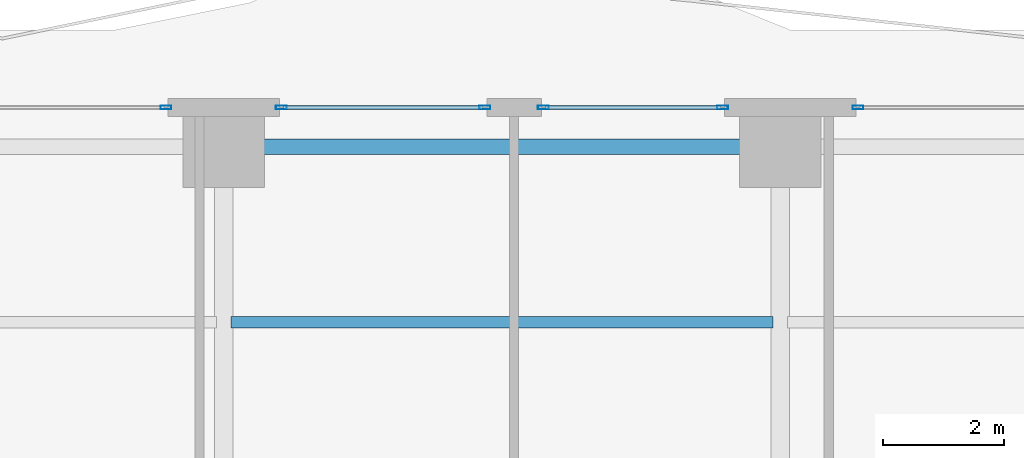
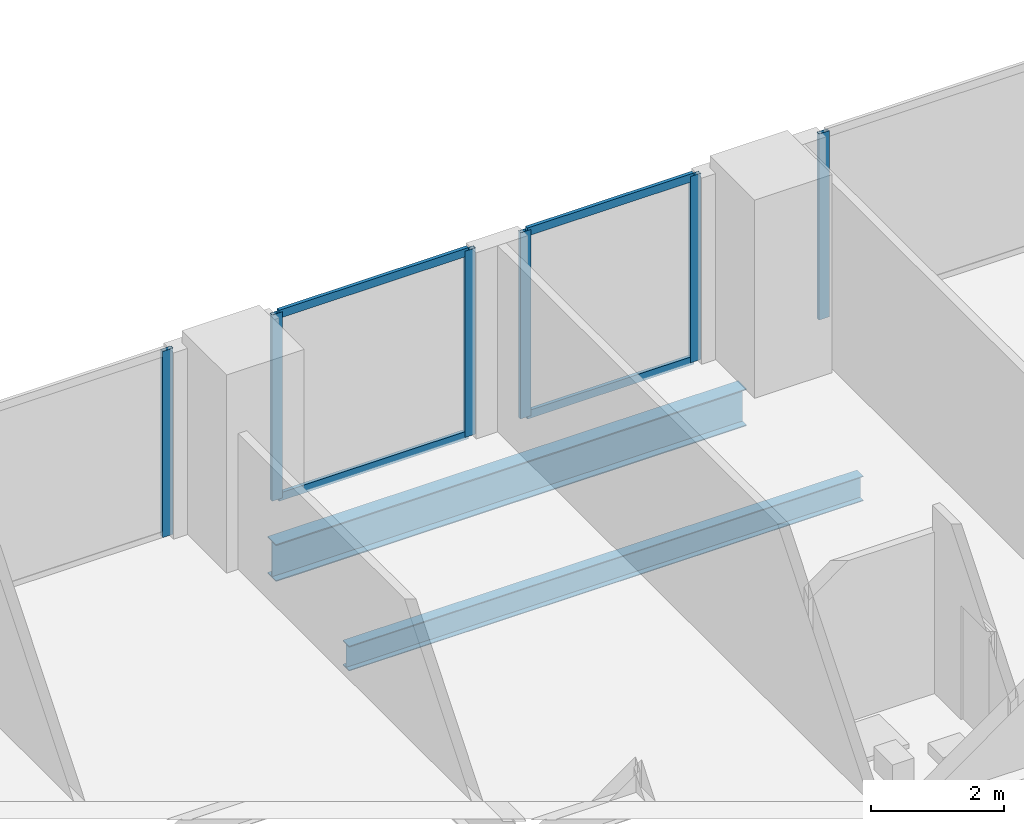
# One storey, part 17 of 29: 10 members, 2 beams, 4 elements without a shape of their own.
"""IFC4 building model written with IfcOpenShell, lengths in metres."""

from ifc_helpers import new_model, si_unit, direction, frame, origin, origin_2d, place, context, subcontext, project, spatial, hollow_rectangle, i_section, extrude, material, layer, layer_set, material_profile, profile_set, type_object, element, aggregate, save


model = new_model("IFC4")

# Units and contexts
model_context = context("Model", 3, precision=1e-05, world=origin(), true_north=direction((0.0, 1.0)))
body_context = subcontext(model_context, "Body", "Model", "MODEL_VIEW")
ifc_project = project(units=[si_unit("LENGTHUNIT", "METRE"), si_unit("AREAUNIT", "SQUARE_METRE"), si_unit("VOLUMEUNIT", "CUBIC_METRE"), si_unit("PLANEANGLEUNIT", "RADIAN"), si_unit("MASSUNIT", "GRAM", prefix="KILO")], contexts=[model_context])

# Site, building, storey
site_placement = place(None, origin())
site = spatial("IfcSite", under=ifc_project, at=site_placement, CompositionType="ELEMENT")
building_placement = place(site_placement, origin())
building = spatial("IfcBuilding", under=site, at=building_placement, Name="Zuhayl Quay Hotel", CompositionType="ELEMENT")
storey_placement = place(building_placement, frame((0.0, 0.0, 106.60009765625)))
storey = spatial("IfcBuildingStorey", under=building, at=storey_placement, Name="L26", CompositionType="ELEMENT", Elevation=106.60009765625)

# Beams
ifc_material_1 = material(Name="Steel ASTM A992 Grade 50", Category="steel")
ifc_material_profile_1 = material_profile(ifc_material_1, i_section(OverallWidth=0.25390625, OverallDepth=0.68310546875, WebThickness=0.012451171875, FlangeThickness=0.018798828125, at=origin_2d()), Name="W27X94")
ifc_profile_set_1 = profile_set([ifc_material_profile_1], Name="Steel ASTM A992 Grade 50")
beam_type_1 = type_object("IfcBeamType", Name="BM_B2_W27X94", PredefinedType="BEAM", material=ifc_profile_set_1)
beam_1_placement = place(storey_placement, frame((4.10009765625, 27.75, -0.5615234375), z_axis=(-1.0, 0.0, 0.0), x_axis=(0.0, -1.0, 0.0)))
element("IfcBeam", 1, at=beam_1_placement, inside=storey, type_object=beam_type_1, Name="L26 Floor Beam RG_L26_08", PredefinedType="BEAM", context=body_context, shape_type="SweptSolid", body=[
    extrude(i_section(OverallWidth=0.25390625, OverallDepth=0.68310546875, WebThickness=0.012451171875, FlangeThickness=0.018798828125, at=origin_2d()), origin(), (0.0, 0.0, 1.0), 8.2001953125),
])
ifc_material_profile_2 = material_profile(ifc_material_1, i_section(OverallWidth=0.18994140625, OverallDepth=0.45703125, WebThickness=0.009033203125, FlangeThickness=0.014404296875, at=origin_2d()), Name="W18X50")
ifc_profile_set_2 = profile_set([ifc_material_profile_2], Name="Steel ASTM A992 Grade 50")
beam_type_2 = type_object("IfcBeamType", Name="BM_J2_W18X50", PredefinedType="JOIST", material=ifc_profile_set_2)
beam_2_placement = place(storey_placement, frame((-4.48095703125, 24.85009765625, -0.448486328125), z_axis=(1.0, 0.0, 0.0), x_axis=(0.0, 1.0, 0.0)))
element("IfcBeam", 2, at=beam_2_placement, inside=storey, type_object=beam_type_2, Name="L26 Floor Beam FJ_L26_4_2", PredefinedType="JOIST", context=body_context, shape_type="SweptSolid", body=[
    extrude(i_section(OverallWidth=0.18994140625, OverallDepth=0.45703125, WebThickness=0.009033203125, FlangeThickness=0.014404296875, at=origin_2d()), origin(), (0.0, 0.0, 1.0), 8.9619140625),
])

# Curtain wall, member
ifc_material_2 = material(Name="Anodised Aluminium 6063-T6", Category="aluminium")
ifc_layer = layer(ifc_material_2, 0.179931640625, Name="Anodised Aluminium 6063-T6", Category="aluminium")
ifc_layer_set = layer_set([ifc_layer], Name="Anodised Aluminium 6063-T6")
curtain_wall_type = type_object("IfcCurtainWallType", Name="CW_SYS_Z2", PredefinedType="USERDEFINED", material=ifc_layer_set)
curtain_wall_1_placement = place(storey_placement, origin())
curtain_wall_1 = element("IfcCurtainWall", 3, at=curtain_wall_1_placement, inside=storey, type_object=curtain_wall_type, Name="L26 Curtain Wall ENV_L26_N_CW3", ObjectType="UNITISED CURTAIN WALL", PredefinedType="USERDEFINED")
ifc_material_3 = material(Name="Black-anodised aluminium 6063-T6", Category="aluminium")
ifc_material_profile_3 = material_profile(ifc_material_3, hollow_rectangle(XDim=0.06494140625, YDim=0.179931640625, WallThickness=0.00341796875, at=origin_2d()), Name="ALU180X65")
ifc_profile_set_3 = profile_set([ifc_material_profile_3], Name="Black-anodised aluminium 6063-T6")
member_type_1 = type_object("IfcMemberType", Name="MB_CW_MUL_180", PredefinedType="MULLION", material=ifc_profile_set_3)
member_1_placement = place(storey_placement, frame((-5.552490234375, 28.39990234375, 0.0), z_axis=(0.0, 0.0, 1.0), x_axis=(0.0, 1.0, 0.0)))
member_1 = element("IfcMember", 4, at=member_1_placement, type_object=member_type_1, Name="CW-Z2 mullion 2", PredefinedType="MULLION", context=body_context, shape_type="SweptSolid", body=[
    extrude(hollow_rectangle(XDim=0.06494140625, YDim=0.179931640625, WallThickness=0.00341796875, at=origin_2d()), origin(), (0.0, 0.0, 1.0), 3.429931640625),
])
aggregate(curtain_wall_1, [member_1])

# Curtain wall, members
curtain_wall_2_placement = place(storey_placement, origin())
curtain_wall_2 = element("IfcCurtainWall", 5, at=curtain_wall_2_placement, inside=storey, type_object=curtain_wall_type, Name="L26 Curtain Wall ENV_L26_N_CW4", ObjectType="UNITISED CURTAIN WALL", PredefinedType="USERDEFINED")
member_2_placement = place(storey_placement, frame((-3.6474609375, 28.39990234375, 0.0), z_axis=(0.0, 0.0, 1.0), x_axis=(0.0, 1.0, 0.0)))
member_2 = element("IfcMember", 6, at=member_2_placement, type_object=member_type_1, Name="CW-Z2 mullion 1", PredefinedType="MULLION", context=body_context, shape_type="SweptSolid", body=[
    extrude(hollow_rectangle(XDim=0.06494140625, YDim=0.179931640625, WallThickness=0.00341796875, at=origin_2d()), origin(), (0.0, 0.0, 1.0), 3.429931640625),
])
member_3_placement = place(storey_placement, frame((-0.282470703125, 28.39990234375, 0.0), z_axis=(0.0, 0.0, 1.0), x_axis=(0.0, 1.0, 0.0)))
member_3 = element("IfcMember", 7, at=member_3_placement, type_object=member_type_1, Name="CW-Z2 mullion 2", PredefinedType="MULLION", context=body_context, shape_type="SweptSolid", body=[
    extrude(hollow_rectangle(XDim=0.06494140625, YDim=0.179931640625, WallThickness=0.00341796875, at=origin_2d()), origin(), (0.0, 0.0, 1.0), 3.429931640625),
])

curtain_wall_3_placement = place(storey_placement, origin())
curtain_wall_3 = element("IfcCurtainWall", 8, at=curtain_wall_3_placement, inside=storey, type_object=curtain_wall_type, Name="L26 Curtain Wall ENV_L26_N_CW5", ObjectType="UNITISED CURTAIN WALL", PredefinedType="USERDEFINED")
member_4_placement = place(storey_placement, frame((0.6826171875, 28.39990234375, 0.0), z_axis=(0.0, 0.0, 1.0), x_axis=(0.0, 1.0, 0.0)))
member_4 = element("IfcMember", 9, at=member_4_placement, type_object=member_type_1, Name="CW-Z2 mullion 1", PredefinedType="MULLION", context=body_context, shape_type="SweptSolid", body=[
    extrude(hollow_rectangle(XDim=0.06494140625, YDim=0.179931640625, WallThickness=0.00341796875, at=origin_2d()), origin(), (0.0, 0.0, 1.0), 3.429931640625),
])
member_5_placement = place(storey_placement, frame((3.6474609375, 28.39990234375, 0.0), z_axis=(0.0, 0.0, 1.0), x_axis=(0.0, 1.0, 0.0)))
member_5 = element("IfcMember", 10, at=member_5_placement, type_object=member_type_1, Name="CW-Z2 mullion 2", PredefinedType="MULLION", context=body_context, shape_type="SweptSolid", body=[
    extrude(hollow_rectangle(XDim=0.06494140625, YDim=0.179931640625, WallThickness=0.00341796875, at=origin_2d()), origin(), (0.0, 0.0, 1.0), 3.429931640625),
])

# Curtain wall, member
curtain_wall_4_placement = place(storey_placement, origin())
curtain_wall_4 = element("IfcCurtainWall", 11, at=curtain_wall_4_placement, inside=storey, type_object=curtain_wall_type, Name="L26 Curtain Wall ENV_L26_N_CW6", ObjectType="UNITISED CURTAIN WALL", PredefinedType="USERDEFINED")
member_6_placement = place(storey_placement, frame((5.882568359375, 28.39990234375, 0.0), z_axis=(0.0, 0.0, 1.0), x_axis=(0.0, 1.0, 0.0)))
member_6 = element("IfcMember", 12, at=member_6_placement, type_object=member_type_1, Name="CW-Z2 mullion 1", PredefinedType="MULLION", context=body_context, shape_type="SweptSolid", body=[
    extrude(hollow_rectangle(XDim=0.06494140625, YDim=0.179931640625, WallThickness=0.00341796875, at=origin_2d()), origin(), (0.0, 0.0, 1.0), 3.429931640625),
])
aggregate(curtain_wall_4, [member_6])

# Member
ifc_material_profile_4 = material_profile(ifc_material_3, hollow_rectangle(XDim=0.06005859375, YDim=0.14990234375, WallThickness=0.00341796875, at=origin_2d()), Name="ALU150X60")
ifc_profile_set_4 = profile_set([ifc_material_profile_4], Name="Black-anodised aluminium 6063-T6")
member_type_2 = type_object("IfcMemberType", Name="MB_CW_TRN_150", PredefinedType="USERDEFINED", material=ifc_profile_set_4)
member_7_placement = place(storey_placement, frame((-3.614990234375, 28.39990234375, 0.02978515625), z_axis=(1.0, 0.0, 0.0), x_axis=(0.0, 1.0, 0.0)))
member_7 = element("IfcMember", 13, at=member_7_placement, type_object=member_type_2, Name="CW-Z2 transom 1.1", ObjectType="TRANSOM", PredefinedType="USERDEFINED", context=body_context, shape_type="SweptSolid", body=[
    extrude(hollow_rectangle(XDim=0.06005859375, YDim=0.14990234375, WallThickness=0.00341796875, at=origin_2d()), origin(), (0.0, 0.0, 1.0), 3.300048828125),
])

member_8_placement = place(storey_placement, frame((-3.614990234375, 28.39990234375, 3.39990234375), z_axis=(1.0, 0.0, 0.0), x_axis=(0.0, 1.0, 0.0)))
member_8 = element("IfcMember", 14, at=member_8_placement, type_object=member_type_2, Name="CW-Z2 transom 1.2", ObjectType="TRANSOM", PredefinedType="USERDEFINED", context=body_context, shape_type="SweptSolid", body=[
    extrude(hollow_rectangle(XDim=0.06005859375, YDim=0.14990234375, WallThickness=0.00341796875, at=origin_2d()), origin(), (0.0, 0.0, 1.0), 3.300048828125),
])

aggregate(curtain_wall_2, [member_2, member_3, member_7, member_8])

member_9_placement = place(storey_placement, frame((0.715087890625, 28.39990234375, 0.02978515625), z_axis=(1.0, 0.0, 0.0), x_axis=(0.0, 1.0, 0.0)))
member_9 = element("IfcMember", 15, at=member_9_placement, type_object=member_type_2, Name="CW-Z2 transom 1.1", ObjectType="TRANSOM", PredefinedType="USERDEFINED", context=body_context, shape_type="SweptSolid", body=[
    extrude(hollow_rectangle(XDim=0.06005859375, YDim=0.14990234375, WallThickness=0.00341796875, at=origin_2d()), origin(), (0.0, 0.0, 1.0), 2.89990234375),
])

member_10_placement = place(storey_placement, frame((0.715087890625, 28.39990234375, 3.39990234375), z_axis=(1.0, 0.0, 0.0), x_axis=(0.0, 1.0, 0.0)))
member_10 = element("IfcMember", 16, at=member_10_placement, type_object=member_type_2, Name="CW-Z2 transom 1.2", ObjectType="TRANSOM", PredefinedType="USERDEFINED", context=body_context, shape_type="SweptSolid", body=[
    extrude(hollow_rectangle(XDim=0.06005859375, YDim=0.14990234375, WallThickness=0.00341796875, at=origin_2d()), origin(), (0.0, 0.0, 1.0), 2.89990234375),
])

aggregate(curtain_wall_3, [member_4, member_5, member_9, member_10])

save(model, "model.ifc")
